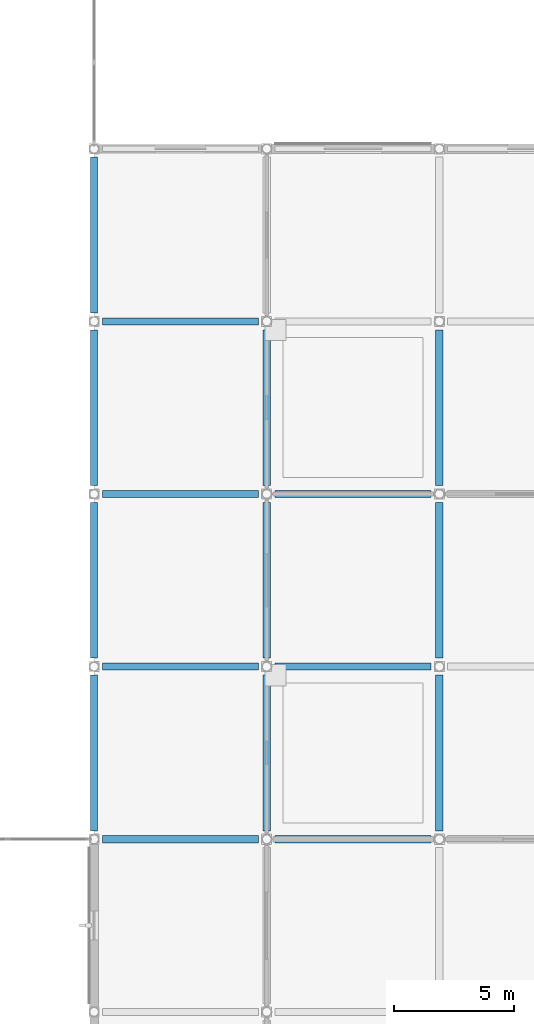
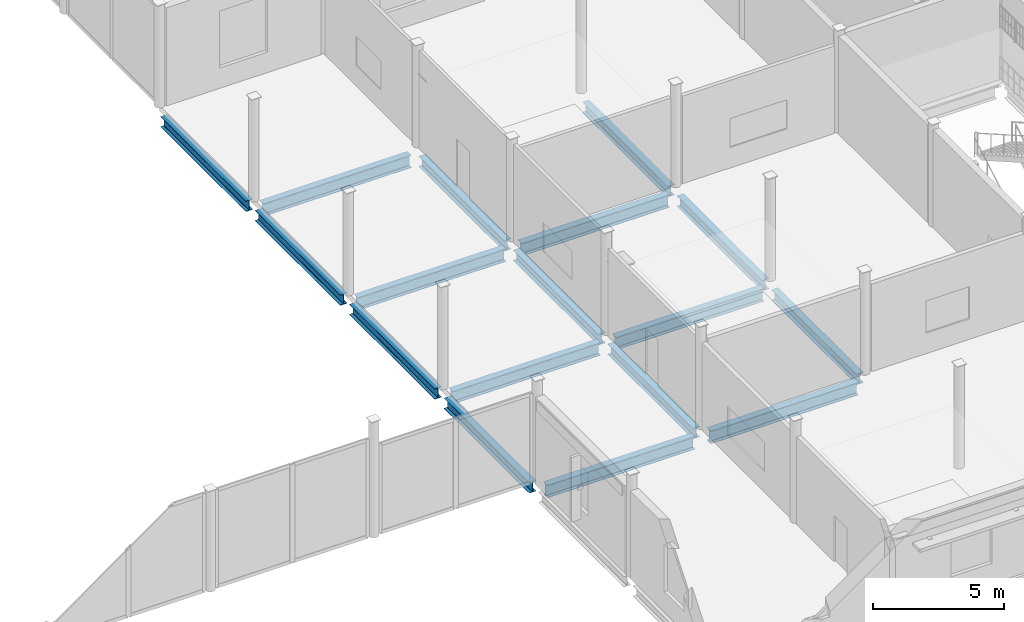
# One storey, part 76 of 120: 17 beams.
"""IFC4 building model written with IfcOpenShell, lengths in metres."""

from ifc_helpers import new_model, si_unit, direction, frame, origin, origin_2d, place, context, subcontext, project, spatial, i_section, extrude, material, material_profile, profile_set, type_object, element, save


model = new_model("IFC4")

# Units and contexts
model_context = context("Model", 3, precision=1e-05, world=origin(), true_north=direction((0.0, 1.0)))
body_context = subcontext(model_context, "Body", "Model", "MODEL_VIEW")
ifc_project = project(units=[si_unit("LENGTHUNIT", "METRE"), si_unit("AREAUNIT", "SQUARE_METRE"), si_unit("VOLUMEUNIT", "CUBIC_METRE"), si_unit("PLANEANGLEUNIT", "RADIAN"), si_unit("MASSUNIT", "GRAM", prefix="KILO")], contexts=[model_context])

# Site, building, storey
site_placement = place(None, origin())
site = spatial("IfcSite", under=ifc_project, at=site_placement, CompositionType="ELEMENT")
building_placement = place(site_placement, origin())
building = spatial("IfcBuilding", under=site, at=building_placement, Name="Vesperath Aquatics Centre", CompositionType="ELEMENT")
storey_placement = place(building_placement, frame((0.0, 0.0, 10.199951171875)))
storey = spatial("IfcBuildingStorey", under=building, at=storey_placement, Name="L02", CompositionType="ELEMENT", Elevation=10.199951171875)

# Beams
ifc_material = material(Name="Steel Q355C", Category="steel")
ifc_material_profile_1 = material_profile(ifc_material, i_section(OverallWidth=0.300048828125, OverallDepth=0.587890625, WebThickness=0.011962890625, FlangeThickness=0.02001953125, FilletRadius=0.028076171875, at=origin_2d()), Name="HM 588x300x12x20")
ifc_profile_set_1 = profile_set([ifc_material_profile_1], Name="Steel Q355C")
beam_type_1 = type_object("IfcBeamType", Name="BM-G09", PredefinedType="BEAM", material=ifc_profile_set_1)
for number, where, z_axis, x_axis, name in (
    (1, (144.35009765625, 64.800048828125, -0.553955078125), (1.0, 0.0, 0.0), (0.0, 1.0, 0.0), "Floor Girder B09 L02 K 21-22"),
    (2, (144.35009765625, 72.0, -0.553955078125), (1.0, 0.0, 0.0), (0.0, 1.0, 0.0), "Floor Girder B09 L02 L 21-22"),
    (3, (144.35009765625, 79.199951171875, -0.553955078125), (1.0, 0.0, 0.0), (0.0, 1.0, 0.0), "Floor Girder B09 L02 M 21-22"),
    (4, (144.35009765625, 86.39990234375, -0.553955078125), (1.0, 0.0, 0.0), (0.0, 1.0, 0.0), "Floor Girder B09 L02 N 21-22"),
    (5, (151.550048828125, 64.800048828125, -0.553955078125), (1.0, 0.0, 0.0), (0.0, 1.0, 0.0), "Floor Girder B09 L02 K 22-23"),
    (6, (151.550048828125, 72.0, -0.553955078125), (1.0, 0.0, 0.0), (0.0, 1.0, 0.0), "Floor Girder B09 L02 L 22-23"),
    (7, (151.550048828125, 79.199951171875, -0.553955078125), (1.0, 0.0, 0.0), (0.0, 1.0, 0.0), "Floor Girder B09 L02 M 22-23"),
):
    element("IfcBeam", number, at=place(storey_placement, frame(where, z_axis=z_axis, x_axis=x_axis)), inside=storey, type_object=beam_type_1, Name=name, PredefinedType="BEAM", context=body_context, shape_type="SweptSolid", body=[
        extrude(i_section(OverallWidth=0.300048828125, OverallDepth=0.587890625, WebThickness=0.011962890625, FlangeThickness=0.02001953125, FilletRadius=0.028076171875, at=origin_2d()), origin(), (0.0, 0.0, 1.0), 6.5),
    ])
ifc_material_profile_2 = material_profile(ifc_material, i_section(OverallWidth=0.300048828125, OverallDepth=0.488037109375, WebThickness=0.010986328125, FlangeThickness=0.01806640625, FilletRadius=0.02587890625, at=origin_2d()), Name="HM 488x300x11x18")
ifc_profile_set_2 = profile_set([ifc_material_profile_2], Name="Steel Q355C")
beam_type_2 = type_object("IfcBeamType", Name="BM-G10", PredefinedType="BEAM", material=ifc_profile_set_2)
for number, where, z_axis, x_axis, name in (
    (8, (144.0, 65.14990234375, -0.50390625), (0.0, 1.0, 0.0), (-1.0, 0.0, 0.0), "Floor Girder B10 L02 21 K-L"),
    (9, (144.0, 72.35009765625, -0.50390625), (0.0, 1.0, 0.0), (-1.0, 0.0, 0.0), "Floor Girder B10 L02 21 L-M"),
    (10, (144.0, 79.550048828125, -0.50390625), (0.0, 1.0, 0.0), (-1.0, 0.0, 0.0), "Floor Girder B10 L02 21 M-N"),
    (11, (144.0, 86.75, -0.50390625), (0.0, 1.0, 0.0), (-1.0, 0.0, 0.0), "Floor Girder B10 L02 21 N-P"),
    (12, (151.199951171875, 65.14990234375, -0.50390625), (0.0, 1.0, 0.0), (-1.0, 0.0, 0.0), "Floor Girder B10 L02 22 K-L"),
    (13, (151.199951171875, 72.35009765625, -0.50390625), (0.0, 1.0, 0.0), (-1.0, 0.0, 0.0), "Floor Girder B10 L02 22 L-M"),
    (14, (151.199951171875, 79.550048828125, -0.50390625), (0.0, 1.0, 0.0), (-1.0, 0.0, 0.0), "Floor Girder B10 L02 22 M-N"),
    (15, (158.39990234375, 65.14990234375, -0.50390625), (0.0, 1.0, 0.0), (-1.0, 0.0, 0.0), "Floor Girder B10 L02 23 K-L"),
    (16, (158.39990234375, 72.35009765625, -0.50390625), (0.0, 1.0, 0.0), (-1.0, 0.0, 0.0), "Floor Girder B10 L02 23 L-M"),
    (17, (158.39990234375, 79.550048828125, -0.50390625), (0.0, 1.0, 0.0), (-1.0, 0.0, 0.0), "Floor Girder B10 L02 23 M-N"),
):
    element("IfcBeam", number, at=place(storey_placement, frame(where, z_axis=z_axis, x_axis=x_axis)), inside=storey, type_object=beam_type_2, Name=name, PredefinedType="BEAM", context=body_context, shape_type="SweptSolid", body=[
        extrude(i_section(OverallWidth=0.300048828125, OverallDepth=0.488037109375, WebThickness=0.010986328125, FlangeThickness=0.01806640625, FilletRadius=0.02587890625, at=origin_2d()), origin(), (0.0, 0.0, 1.0), 6.5),
    ])

save(model, "model.ifc")
